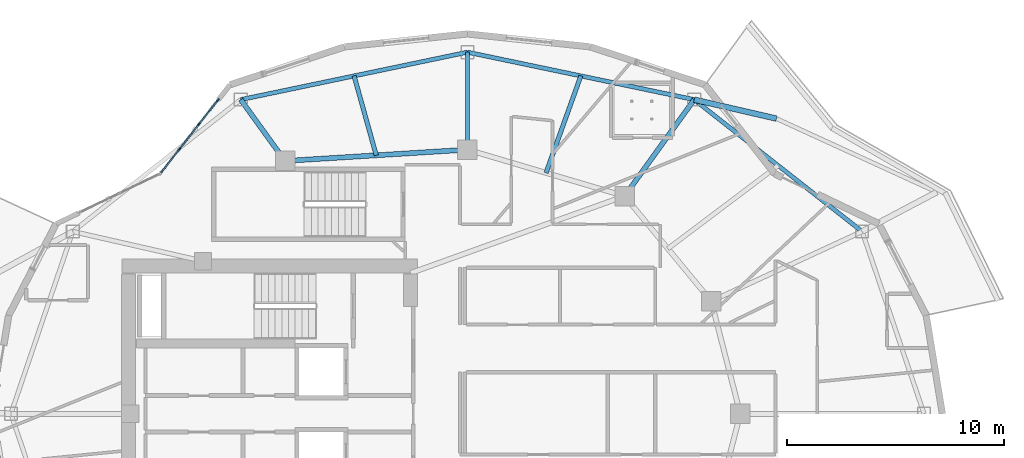
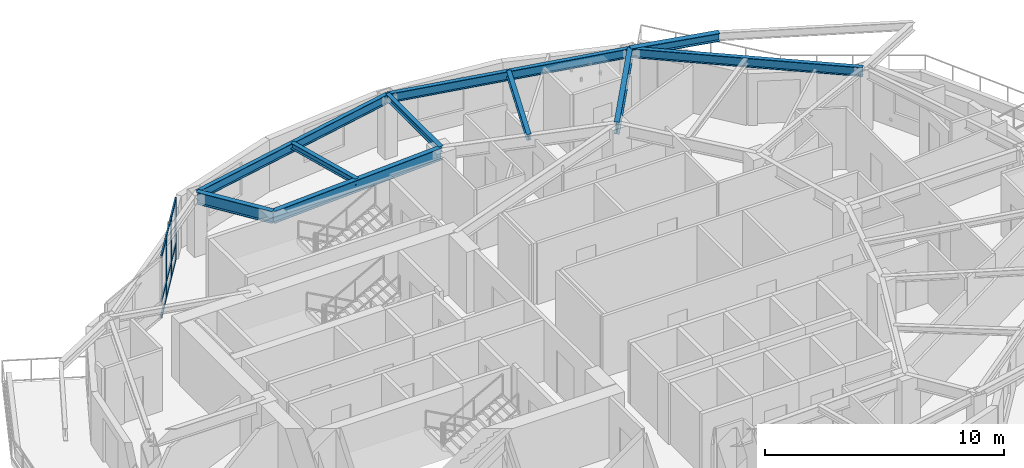
# One storey, part 5 of 16: 12 members, 10 beams, 1 element without a shape of its own.
"""IFC4 building model written with IfcOpenShell, lengths in metres."""

from ifc_helpers import new_model, si_unit, direction, frame, origin, origin_2d, place, context, subcontext, project, spatial, rectangle, i_section, extrude, material, layer, layer_set, material_profile, profile_set, type_object, element, aggregate, save


model = new_model("IFC4")

# Units and contexts
model_context = context("Model", 3, precision=1e-05, world=origin(), true_north=direction((0.0, 1.0)))
body_context = subcontext(model_context, "Body", "Model", "MODEL_VIEW")
ifc_project = project(units=[si_unit("LENGTHUNIT", "METRE"), si_unit("AREAUNIT", "SQUARE_METRE"), si_unit("VOLUMEUNIT", "CUBIC_METRE"), si_unit("PLANEANGLEUNIT", "RADIAN"), si_unit("MASSUNIT", "GRAM", prefix="KILO")], contexts=[model_context])

# Site, building, storey
site_placement = place(None, origin())
site = spatial("IfcSite", under=ifc_project, at=site_placement, CompositionType="ELEMENT")
building_placement = place(site_placement, origin())
building = spatial("IfcBuilding", under=site, at=building_placement, Name="Kolvaren Gate Tower and Convention Centre", CompositionType="ELEMENT")
storey_placement = place(building_placement, frame((0.0, 0.0, 149.5)))
storey = spatial("IfcBuildingStorey", under=building, at=storey_placement, Name="L38", CompositionType="ELEMENT", Elevation=149.5)

# Curtain wall, members
ifc_material_1 = material(Name="Anodized Architectural Aluminium Alloy 6063-T6", Category="aluminium")
ifc_layer = layer(ifc_material_1, 0.159912109375)
ifc_layer_set = layer_set([ifc_layer], Name="Anodized Architectural Aluminium Alloy 6063-T6")
curtain_wall_type = type_object("IfcCurtainWallType", Name="CW-HTL-UNIT", PredefinedType="NOTDEFINED", material=ifc_layer_set)
curtain_wall_placement = place(storey_placement, origin())
curtain_wall = element("IfcCurtainWall", 1, at=curtain_wall_placement, inside=storey, type_object=curtain_wall_type, Name="Tower L38 Unitised Curtain Wall CW-HTL-UNIT Bay 08", PredefinedType="NOTDEFINED")
ifc_material_profile_1 = material_profile(ifc_material_1, rectangle(XDim=0.06494140625, YDim=0.159912109375, at=origin_2d()), Name="CW-MEM-MUL-160")
ifc_profile_set_1 = profile_set([ifc_material_profile_1], Name="Anodized Architectural Aluminium Alloy 6063-T6")
member_type_1 = type_object("IfcMemberType", Name="CW-MEM-MUL-160", PredefinedType="MULLION", material=ifc_profile_set_1)
member_1_placement = place(storey_placement, frame((16.829833984375, 39.22705078125, 0.0), z_axis=(0.0, 0.0, 1.0), x_axis=(-0.787394793807, 0.616449056034, 0.0)))
member_1 = element("IfcMember", 2, at=member_1_placement, type_object=member_type_1, Name="CW-03 mullion 2", PredefinedType="MULLION", context=body_context, shape_type="SweptSolid", body=[
    extrude(rectangle(XDim=0.06494140625, YDim=0.159912109375, at=origin_2d()), origin(), (0.0, 0.0, 1.0), 3.1298828125),
])
member_2_placement = place(storey_placement, frame((17.722900390625, 40.367919921875, 0.0), z_axis=(0.0, 0.0, 1.0), x_axis=(-0.787394793807, 0.616449056034, 0.0)))
member_2 = element("IfcMember", 3, at=member_2_placement, type_object=member_type_1, Name="CW-03 mullion 3", PredefinedType="MULLION", context=body_context, shape_type="SweptSolid", body=[
    extrude(rectangle(XDim=0.06494140625, YDim=0.159912109375, at=origin_2d()), origin(), (0.0, 0.0, 1.0), 3.1298828125),
])
member_3_placement = place(storey_placement, frame((18.59619140625, 41.483154296875, 0.0), z_axis=(0.0, 0.0, 1.0), x_axis=(-0.787394793807, 0.616449056034, 0.0)))
member_3 = element("IfcMember", 4, at=member_3_placement, type_object=member_type_1, Name="CW-03 mullion 4", PredefinedType="MULLION", context=body_context, shape_type="SweptSolid", body=[
    extrude(rectangle(XDim=0.06494140625, YDim=0.159912109375, at=origin_2d()), origin(), (0.0, 0.0, 1.0), 3.1298828125),
])
ifc_material_profile_2 = material_profile(ifc_material_1, rectangle(XDim=0.06494140625, YDim=0.159912109375, at=origin_2d()), Name="CW-MEM-TRN-160")
ifc_profile_set_2 = profile_set([ifc_material_profile_2], Name="Anodized Architectural Aluminium Alloy 6063-T6")
member_type_2 = type_object("IfcMemberType", Name="CW-MEM-TRN-160", PredefinedType="USERDEFINED", material=ifc_profile_set_2)
member_4_placement = place(storey_placement, frame((15.9765625, 38.13720703125, 0.032470703125), z_axis=(0.616488451497, 0.787363949626, 0.0), x_axis=(-0.787363949626, 0.616488451497, 0.0)))
member_4 = element("IfcMember", 5, at=member_4_placement, type_object=member_type_2, Name="CW-03 transom 1.1", ObjectType="TRANSOM", PredefinedType="USERDEFINED", context=body_context, shape_type="SweptSolid", body=[
    extrude(rectangle(XDim=0.06494140625, YDim=0.159912109375, at=origin_2d()), origin(), (0.0, 0.0, 1.0), 1.3515625),
])
member_5_placement = place(storey_placement, frame((15.9765625, 38.13720703125, 0.85009765625), z_axis=(0.616488451497, 0.787363949626, 0.0), x_axis=(-0.787363949626, 0.616488451497, 0.0)))
member_5 = element("IfcMember", 6, at=member_5_placement, type_object=member_type_2, Name="CW-03 transom 1.2", ObjectType="TRANSOM", PredefinedType="USERDEFINED", context=body_context, shape_type="SweptSolid", body=[
    extrude(rectangle(XDim=0.06494140625, YDim=0.159912109375, at=origin_2d()), origin(), (0.0, 0.0, 1.0), 1.3515625),
])
member_6_placement = place(storey_placement, frame((15.9765625, 38.13720703125, 3.097412109375), z_axis=(0.616488451497, 0.787363949626, 0.0), x_axis=(-0.787363949626, 0.616488451497, 0.0)))
member_6 = element("IfcMember", 7, at=member_6_placement, type_object=member_type_2, Name="CW-03 transom 1.3", ObjectType="TRANSOM", PredefinedType="USERDEFINED", context=body_context, shape_type="SweptSolid", body=[
    extrude(rectangle(XDim=0.06494140625, YDim=0.159912109375, at=origin_2d()), origin(), (0.0, 0.0, 1.0), 1.3515625),
])
member_7_placement = place(storey_placement, frame((16.849853515625, 39.25244140625, 0.032470703125), z_axis=(0.616355825524, 0.787467774796, 0.0), x_axis=(-0.787467774796, 0.616355825524, 0.0)))
member_7 = element("IfcMember", 8, at=member_7_placement, type_object=member_type_2, Name="CW-03 transom 2.1", ObjectType="TRANSOM", PredefinedType="USERDEFINED", context=body_context, shape_type="SweptSolid", body=[
    extrude(rectangle(XDim=0.06494140625, YDim=0.159912109375, at=origin_2d()), origin(), (0.0, 0.0, 1.0), 1.384033203125),
])
member_8_placement = place(storey_placement, frame((16.849853515625, 39.25244140625, 0.85009765625), z_axis=(0.616355825524, 0.787467774796, 0.0), x_axis=(-0.787467774796, 0.616355825524, 0.0)))
member_8 = element("IfcMember", 9, at=member_8_placement, type_object=member_type_2, Name="CW-03 transom 2.2", ObjectType="TRANSOM", PredefinedType="USERDEFINED", context=body_context, shape_type="SweptSolid", body=[
    extrude(rectangle(XDim=0.06494140625, YDim=0.159912109375, at=origin_2d()), origin(), (0.0, 0.0, 1.0), 1.384033203125),
])
member_9_placement = place(storey_placement, frame((16.849853515625, 39.25244140625, 3.097412109375), z_axis=(0.616355825524, 0.787467774796, 0.0), x_axis=(-0.787467774796, 0.616355825524, 0.0)))
member_9 = element("IfcMember", 10, at=member_9_placement, type_object=member_type_2, Name="CW-03 transom 2.3", ObjectType="TRANSOM", PredefinedType="USERDEFINED", context=body_context, shape_type="SweptSolid", body=[
    extrude(rectangle(XDim=0.06494140625, YDim=0.159912109375, at=origin_2d()), origin(), (0.0, 0.0, 1.0), 1.384033203125),
])
member_10_placement = place(storey_placement, frame((17.742919921875, 40.3935546875, 0.032470703125), z_axis=(0.61657613784, 0.787295285294, 0.0), x_axis=(-0.787295285294, 0.61657613784, 0.0)))
member_10 = element("IfcMember", 11, at=member_10_placement, type_object=member_type_2, Name="CW-03 transom 3.1", ObjectType="TRANSOM", PredefinedType="USERDEFINED", context=body_context, shape_type="SweptSolid", body=[
    extrude(rectangle(XDim=0.06494140625, YDim=0.159912109375, at=origin_2d()), origin(), (0.0, 0.0, 1.0), 1.351318359375),
])
member_11_placement = place(storey_placement, frame((17.742919921875, 40.3935546875, 0.85009765625), z_axis=(0.61657613784, 0.787295285294, 0.0), x_axis=(-0.787295285294, 0.61657613784, 0.0)))
member_11 = element("IfcMember", 12, at=member_11_placement, type_object=member_type_2, Name="CW-03 transom 3.2", ObjectType="TRANSOM", PredefinedType="USERDEFINED", context=body_context, shape_type="SweptSolid", body=[
    extrude(rectangle(XDim=0.06494140625, YDim=0.159912109375, at=origin_2d()), origin(), (0.0, 0.0, 1.0), 1.351318359375),
])
member_12_placement = place(storey_placement, frame((17.742919921875, 40.3935546875, 3.097412109375), z_axis=(0.61657613784, 0.787295285294, 0.0), x_axis=(-0.787295285294, 0.61657613784, 0.0)))
member_12 = element("IfcMember", 13, at=member_12_placement, type_object=member_type_2, Name="CW-03 transom 3.3", ObjectType="TRANSOM", PredefinedType="USERDEFINED", context=body_context, shape_type="SweptSolid", body=[
    extrude(rectangle(XDim=0.06494140625, YDim=0.159912109375, at=origin_2d()), origin(), (0.0, 0.0, 1.0), 1.351318359375),
])
aggregate(curtain_wall, [member_1, member_2, member_3, member_4, member_5, member_6, member_7, member_8, member_9, member_10, member_11, member_12])

# Beams
ifc_material_2 = material(Name="Structural steel ASTM A992 Grade 345 MPa", Category="steel")
ifc_material_profile_3 = material_profile(ifc_material_2, i_section(OverallWidth=0.260009765625, OverallDepth=0.419921875, WebThickness=0.013427734375, FlangeThickness=0.0224609375, at=origin_2d()), Name="W410X132")
ifc_profile_set_3 = profile_set([ifc_material_profile_3], Name="Structural steel ASTM A992 Grade 345 MPa")
beam_type_1 = type_object("IfcBeamType", Name="STR-BM-W410X132", PredefinedType="BEAM", material=ifc_profile_set_3)
beam_1_placement = place(storey_placement, frame((40.596435546875, 41.509521484375, 2.92041015625), z_axis=(0.974390140605, -0.224864078706, 0.0), x_axis=(0.224864078706, 0.974390140605, 0.0)))
element("IfcBeam", 14, at=beam_1_placement, inside=storey, type_object=beam_type_1, Name="Tower L39 Planted Balcony Outrigger Cantilever BC-1B", PredefinedType="BEAM", context=body_context, shape_type="SweptSolid", body=[
    extrude(i_section(OverallWidth=0.260009765625, OverallDepth=0.419921875, WebThickness=0.013427734375, FlangeThickness=0.0224609375, at=origin_2d()), origin(), (0.0, 0.0, 1.0), 3.89990234375),
])
ifc_material_profile_4 = material_profile(ifc_material_2, i_section(OverallWidth=0.22998046875, OverallDepth=0.616943359375, WebThickness=0.01318359375, FlangeThickness=0.022216796875, at=origin_2d()), Name="W610X140")
ifc_profile_set_4 = profile_set([ifc_material_profile_4], Name="Structural steel ASTM A992 Grade 345 MPa")
beam_type_2 = type_object("IfcBeamType", Name="STR-BM-W610X140", PredefinedType="BEAM", material=ifc_profile_set_4)
beam_2_placement = place(storey_placement, frame((30.125, 39.199951171875, 2.821533203125), z_axis=(-0.998078258568, -0.06196603726, 0.0), x_axis=(0.06196603726, -0.998078258568, 0.0)))
element("IfcBeam", 15, at=beam_2_placement, inside=storey, type_object=beam_type_2, Name="Tower L38 Primary Ring Girder G-04", PredefinedType="BEAM", context=body_context, shape_type="SweptSolid", body=[
    extrude(i_section(OverallWidth=0.22998046875, OverallDepth=0.616943359375, WebThickness=0.01318359375, FlangeThickness=0.022216796875, at=origin_2d()), origin(), (0.0, 0.0, 1.0), 8.443115234375),
])
beam_3_placement = place(storey_placement, frame((37.381591796875, 37.054931640625, 2.821533203125), z_axis=(0.58520818289, 0.810883088169, 0.0), x_axis=(-0.810883088169, 0.58520818289, 0.0)))
element("IfcBeam", 16, at=beam_3_placement, inside=storey, type_object=beam_type_2, Name="Tower L38 Radial Floor Girder RB-03", PredefinedType="BEAM", context=body_context, shape_type="SweptSolid", body=[
    extrude(i_section(OverallWidth=0.22998046875, OverallDepth=0.616943359375, WebThickness=0.01318359375, FlangeThickness=0.022216796875, at=origin_2d()), origin(), (0.0, 0.0, 1.0), 5.493408203125),
])
beam_4_placement = place(storey_placement, frame((21.697998046875, 38.6767578125, 2.821533203125), z_axis=(-0.585171547435, 0.810909526441, 0.0), x_axis=(-0.810909526441, -0.585171547435, 0.0)))
element("IfcBeam", 17, at=beam_4_placement, inside=storey, type_object=beam_type_2, Name="Tower L38 Radial Floor Girder RB-05", PredefinedType="BEAM", context=body_context, shape_type="SweptSolid", body=[
    extrude(i_section(OverallWidth=0.22998046875, OverallDepth=0.616943359375, WebThickness=0.01318359375, FlangeThickness=0.022216796875, at=origin_2d()), origin(), (0.0, 0.0, 1.0), 3.493408203125),
])
ifc_material_profile_5 = material_profile(ifc_material_2, i_section(OverallWidth=0.205078125, OverallDepth=0.31005859375, WebThickness=0.009521484375, FlangeThickness=0.016357421875, at=origin_2d()), Name="W310X74")
ifc_profile_set_5 = profile_set([ifc_material_profile_5], Name="Structural steel ASTM A992 Grade 345 MPa")
beam_type_3 = type_object("IfcBeamType", Name="STR-JS-W310X74", PredefinedType="JOIST", material=ifc_profile_set_5)
beam_5_placement = place(storey_placement, frame((30.125, 39.199951171875, 2.97509765625), z_axis=(0.0, 1.0, 0.0), x_axis=(-1.0, 0.0, 0.0)))
element("IfcBeam", 18, at=beam_5_placement, inside=storey, type_object=beam_type_3, Name="Tower L38 Radial Floor Girder RB-04", PredefinedType="JOIST", context=body_context, shape_type="SweptSolid", body=[
    extrude(i_section(OverallWidth=0.205078125, OverallDepth=0.31005859375, WebThickness=0.009521484375, FlangeThickness=0.016357421875, at=origin_2d()), origin(), (0.0, 0.0, 1.0), 4.5),
])
beam_6_placement = place(storey_placement, frame((33.75341796875, 38.12744140625, 2.97509765625), z_axis=(0.33785426197, 0.941198436924, 0.0), x_axis=(-0.941198436924, 0.33785426197, 0.0)))
element("IfcBeam", 19, at=beam_6_placement, inside=storey, type_object=beam_type_3, Name="Tower L38 Secondary Composite Floor Joist J-03.1", PredefinedType="JOIST", context=body_context, shape_type="SweptSolid", body=[
    extrude(i_section(OverallWidth=0.205078125, OverallDepth=0.31005859375, WebThickness=0.009521484375, FlangeThickness=0.016357421875, at=origin_2d()), origin(), (0.0, 0.0, 1.0), 4.757080078125),
])
beam_7_placement = place(storey_placement, frame((25.91162109375, 38.938232421875, 2.97509765625), z_axis=(-0.26855678261, 0.963263855085, 0.0), x_axis=(-0.963263855085, -0.26855678261, 0.0)))
element("IfcBeam", 20, at=beam_7_placement, inside=storey, type_object=beam_type_3, Name="Tower L38 Secondary Composite Floor Joist J-04.1", PredefinedType="JOIST", context=body_context, shape_type="SweptSolid", body=[
    extrude(i_section(OverallWidth=0.205078125, OverallDepth=0.31005859375, WebThickness=0.009521484375, FlangeThickness=0.016357421875, at=origin_2d()), origin(), (0.0, 0.0, 1.0), 3.806396484375),
])
ifc_material_profile_6 = material_profile(ifc_material_2, i_section(OverallWidth=0.194091796875, OverallDepth=0.468994140625, WebThickness=0.0126953125, FlangeThickness=0.0205078125, at=origin_2d()), Name="W460X106")
ifc_profile_set_6 = profile_set([ifc_material_profile_6], Name="Structural steel ASTM A992 Grade 345 MPa")
beam_type_4 = type_object("IfcBeamType", Name="STR-SP-W460X106", PredefinedType="SPANDREL", material=ifc_profile_set_6)
beam_8_placement = place(storey_placement, frame((48.351806640625, 35.418701171875, 2.8955078125), z_axis=(-0.786450621777, 0.617653154697, 0.0), x_axis=(-0.617653154697, -0.786450621777, 0.0)))
element("IfcBeam", 21, at=beam_8_placement, inside=storey, type_object=beam_type_4, Name="Tower L38 Perimeter Spandrel Beam SP-02", PredefinedType="SPANDREL", context=body_context, shape_type="SweptSolid", body=[
    extrude(i_section(OverallWidth=0.194091796875, OverallDepth=0.468994140625, WebThickness=0.0126953125, FlangeThickness=0.0205078125, at=origin_2d()), origin(), (0.0, 0.0, 1.0), 9.861328125),
])
beam_9_placement = place(storey_placement, frame((40.596435546875, 41.509521484375, 2.8955078125), z_axis=(-0.978814350133, 0.204749769168, 0.0), x_axis=(-0.204749769168, -0.978814350133, 0.0)))
element("IfcBeam", 22, at=beam_9_placement, inside=storey, type_object=beam_type_4, Name="Tower L38 Perimeter Spandrel Beam SP-03", PredefinedType="SPANDREL", context=body_context, shape_type="SweptSolid", body=[
    extrude(i_section(OverallWidth=0.194091796875, OverallDepth=0.468994140625, WebThickness=0.0126953125, FlangeThickness=0.0205078125, at=origin_2d()), origin(), (0.0, 0.0, 1.0), 10.697998046875),
])
beam_10_placement = place(storey_placement, frame((30.125, 43.699951171875, 2.8955078125), z_axis=(-0.978813393389, -0.204754342865, 0.0), x_axis=(0.204754342865, -0.978813393389, 0.0)))
element("IfcBeam", 23, at=beam_10_placement, inside=storey, type_object=beam_type_4, Name="Tower L38 Perimeter Spandrel Beam SP-04", PredefinedType="SPANDREL", context=body_context, shape_type="SweptSolid", body=[
    extrude(i_section(OverallWidth=0.194091796875, OverallDepth=0.468994140625, WebThickness=0.0126953125, FlangeThickness=0.0205078125, at=origin_2d()), origin(), (0.0, 0.0, 1.0), 10.69775390625),
])

save(model, "model.ifc")
